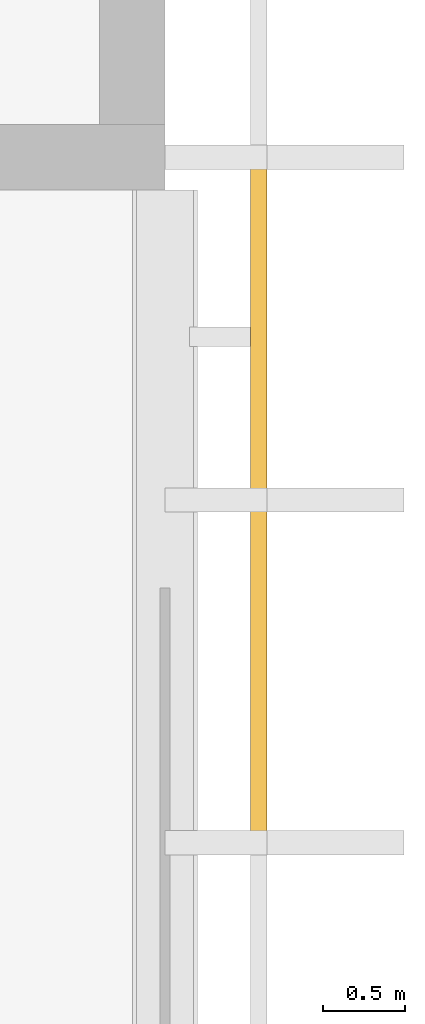
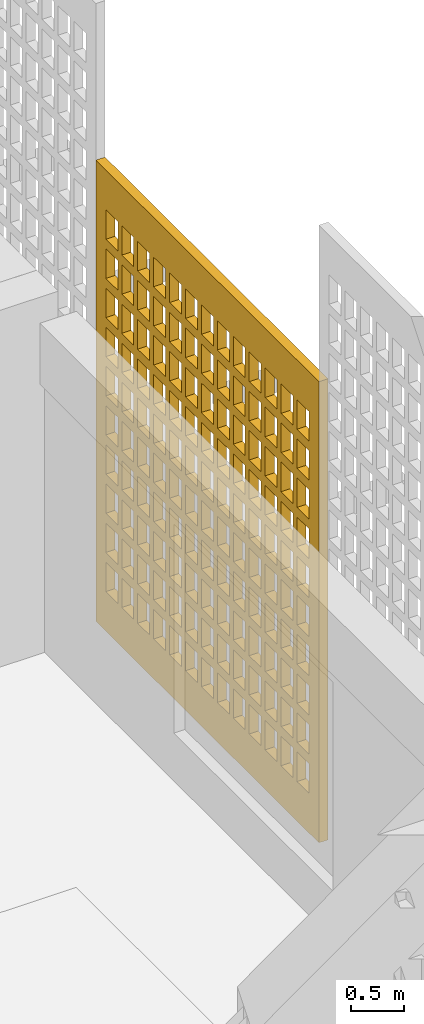
# One storey, part 13 of 23: 1 shading device, 1 opening.
"""IFC4 building model written with IfcOpenShell, lengths in metres."""

from ifc_helpers import new_model, si_unit, direction, frame, origin, origin_2d, place, context, subcontext, project, spatial, rectangle, extrude, material, layer, layer_set, type_object, element, save


model = new_model("IFC4")

# Units and contexts
model_context = context("Model", 3, precision=1e-05, world=origin(), true_north=direction((0.0, 1.0)))
body_context = subcontext(model_context, "Body", "Model", "MODEL_VIEW")
ifc_project = project(units=[si_unit("LENGTHUNIT", "METRE"), si_unit("AREAUNIT", "SQUARE_METRE"), si_unit("VOLUMEUNIT", "CUBIC_METRE"), si_unit("PLANEANGLEUNIT", "RADIAN"), si_unit("MASSUNIT", "GRAM", prefix="KILO")], contexts=[model_context])

# Site, building, storey
site_placement = place(None, origin())
site = spatial("IfcSite", under=ifc_project, at=site_placement, CompositionType="ELEMENT")
building_placement = place(site_placement, origin())
building = spatial("IfcBuilding", under=site, at=building_placement, Name="Rulbaag Community and Learning Centre", CompositionType="ELEMENT")
storey_placement = place(building_placement, frame((0.0, 0.0, 64.800048828125)))
storey = spatial("IfcBuildingStorey", under=building, at=storey_placement, Name="L17", CompositionType="ELEMENT", Elevation=64.800048828125)

# Shading device, opening
ifc_material = material(Name="Concrete M40", Category="concrete")
ifc_layer = layer(ifc_material, 0.10009765625)
ifc_layer_set = layer_set([ifc_layer], Name="JC-4")
shading_device_type = type_object("IfcShadingDeviceType", Name="JC-4", PredefinedType="SHUTTER", material=ifc_layer_set)
shading_device_placement = place(storey_placement, frame((168.574951171875, 90.300048828125, 0.0), z_axis=(0.0, 0.0, 1.0), x_axis=(1.0, 0.0, 0.0)))
shading_device = element("IfcShadingDevice", 1, at=shading_device_placement, inside=storey, type_object=shading_device_type, Name="Jaali lantern screen", PredefinedType="SHUTTER", context=body_context, shape_type="SweptSolid", body=[
    extrude(rectangle(XDim=0.10009765625, YDim=4.199951171875, at=origin_2d()), origin(), (0.0, 0.0, 1.0), 5.300048828125),
])
opening_placement = place(shading_device_placement, origin())
element("IfcOpeningElement", 2, at=opening_placement, cuts=shading_device, Name="Perforation JC4", PredefinedType="OPENING", context=body_context, shape_type="SweptSolid", body=[
    extrude(rectangle(XDim=0.22509765625, YDim=0.340087890625, at=origin_2d()), frame((-0.06005859375, -1.800048828125, 0.625), z_axis=(1.0, 0.0, 0.0), x_axis=(0.0, 1.0, 0.0)), (0.0, 0.0, 1.0), 0.1201171875),
    extrude(rectangle(XDim=0.22509765625, YDim=0.340087890625, at=origin_2d()), frame((-0.06005859375, -1.5, 0.625), z_axis=(1.0, 0.0, 0.0), x_axis=(0.0, 1.0, 0.0)), (0.0, 0.0, 1.0), 0.1201171875),
    extrude(rectangle(XDim=0.22509765625, YDim=0.340087890625, at=origin_2d()), frame((-0.06005859375, -1.199951171875, 0.625), z_axis=(1.0, 0.0, 0.0), x_axis=(0.0, 1.0, 0.0)), (0.0, 0.0, 1.0), 0.1201171875),
    extrude(rectangle(XDim=0.22509765625, YDim=0.340087890625, at=origin_2d()), frame((-0.06005859375, -0.89990234375, 0.625), z_axis=(1.0, 0.0, 0.0), x_axis=(0.0, 1.0, 0.0)), (0.0, 0.0, 1.0), 0.1201171875),
    extrude(rectangle(XDim=0.22509765625, YDim=0.340087890625, at=origin_2d()), frame((-0.06005859375, -0.60009765625, 0.625), z_axis=(1.0, 0.0, 0.0), x_axis=(0.0, 1.0, 0.0)), (0.0, 0.0, 1.0), 0.1201171875),
    extrude(rectangle(XDim=0.22509765625, YDim=0.340087890625, at=origin_2d()), frame((-0.06005859375, -0.300048828125, 0.625), z_axis=(1.0, 0.0, 0.0), x_axis=(0.0, 1.0, 0.0)), (0.0, 0.0, 1.0), 0.1201171875),
    extrude(rectangle(XDim=0.22509765625, YDim=0.340087890625, at=origin_2d()), frame((-0.06005859375, 0.0, 0.625), z_axis=(1.0, 0.0, 0.0), x_axis=(0.0, 1.0, 0.0)), (0.0, 0.0, 1.0), 0.1201171875),
    extrude(rectangle(XDim=0.22509765625, YDim=0.340087890625, at=origin_2d()), frame((-0.06005859375, 0.300048828125, 0.625), z_axis=(1.0, 0.0, 0.0), x_axis=(0.0, 1.0, 0.0)), (0.0, 0.0, 1.0), 0.1201171875),
    extrude(rectangle(XDim=0.22509765625, YDim=0.340087890625, at=origin_2d()), frame((-0.06005859375, 0.60009765625, 0.625), z_axis=(1.0, 0.0, 0.0), x_axis=(0.0, 1.0, 0.0)), (0.0, 0.0, 1.0), 0.1201171875),
    extrude(rectangle(XDim=0.22509765625, YDim=0.340087890625, at=origin_2d()), frame((-0.06005859375, 0.89990234375, 0.625), z_axis=(1.0, 0.0, 0.0), x_axis=(0.0, 1.0, 0.0)), (0.0, 0.0, 1.0), 0.1201171875),
    extrude(rectangle(XDim=0.22509765625, YDim=0.340087890625, at=origin_2d()), frame((-0.06005859375, 1.199951171875, 0.625), z_axis=(1.0, 0.0, 0.0), x_axis=(0.0, 1.0, 0.0)), (0.0, 0.0, 1.0), 0.1201171875),
    extrude(rectangle(XDim=0.22509765625, YDim=0.340087890625, at=origin_2d()), frame((-0.06005859375, 1.5, 0.625), z_axis=(1.0, 0.0, 0.0), x_axis=(0.0, 1.0, 0.0)), (0.0, 0.0, 1.0), 0.1201171875),
    extrude(rectangle(XDim=0.22509765625, YDim=0.340087890625, at=origin_2d()), frame((-0.06005859375, 1.800048828125, 0.625), z_axis=(1.0, 0.0, 0.0), x_axis=(0.0, 1.0, 0.0)), (0.0, 0.0, 1.0), 0.1201171875),
    extrude(rectangle(XDim=0.22509765625, YDim=0.340087890625, at=origin_2d()), frame((-0.06005859375, -1.800048828125, 1.074951171875), z_axis=(1.0, 0.0, 0.0), x_axis=(0.0, 1.0, 0.0)), (0.0, 0.0, 1.0), 0.1201171875),
    extrude(rectangle(XDim=0.22509765625, YDim=0.340087890625, at=origin_2d()), frame((-0.06005859375, -1.5, 1.074951171875), z_axis=(1.0, 0.0, 0.0), x_axis=(0.0, 1.0, 0.0)), (0.0, 0.0, 1.0), 0.1201171875),
    extrude(rectangle(XDim=0.22509765625, YDim=0.340087890625, at=origin_2d()), frame((-0.06005859375, -1.199951171875, 1.074951171875), z_axis=(1.0, 0.0, 0.0), x_axis=(0.0, 1.0, 0.0)), (0.0, 0.0, 1.0), 0.1201171875),
    extrude(rectangle(XDim=0.22509765625, YDim=0.340087890625, at=origin_2d()), frame((-0.06005859375, -0.89990234375, 1.074951171875), z_axis=(1.0, 0.0, 0.0), x_axis=(0.0, 1.0, 0.0)), (0.0, 0.0, 1.0), 0.1201171875),
    extrude(rectangle(XDim=0.22509765625, YDim=0.340087890625, at=origin_2d()), frame((-0.06005859375, -0.60009765625, 1.074951171875), z_axis=(1.0, 0.0, 0.0), x_axis=(0.0, 1.0, 0.0)), (0.0, 0.0, 1.0), 0.1201171875),
    extrude(rectangle(XDim=0.22509765625, YDim=0.340087890625, at=origin_2d()), frame((-0.06005859375, -0.300048828125, 1.074951171875), z_axis=(1.0, 0.0, 0.0), x_axis=(0.0, 1.0, 0.0)), (0.0, 0.0, 1.0), 0.1201171875),
    extrude(rectangle(XDim=0.22509765625, YDim=0.340087890625, at=origin_2d()), frame((-0.06005859375, 0.0, 1.074951171875), z_axis=(1.0, 0.0, 0.0), x_axis=(0.0, 1.0, 0.0)), (0.0, 0.0, 1.0), 0.1201171875),
    extrude(rectangle(XDim=0.22509765625, YDim=0.340087890625, at=origin_2d()), frame((-0.06005859375, 0.300048828125, 1.074951171875), z_axis=(1.0, 0.0, 0.0), x_axis=(0.0, 1.0, 0.0)), (0.0, 0.0, 1.0), 0.1201171875),
    extrude(rectangle(XDim=0.22509765625, YDim=0.340087890625, at=origin_2d()), frame((-0.06005859375, 0.60009765625, 1.074951171875), z_axis=(1.0, 0.0, 0.0), x_axis=(0.0, 1.0, 0.0)), (0.0, 0.0, 1.0), 0.1201171875),
    extrude(rectangle(XDim=0.22509765625, YDim=0.340087890625, at=origin_2d()), frame((-0.06005859375, 0.89990234375, 1.074951171875), z_axis=(1.0, 0.0, 0.0), x_axis=(0.0, 1.0, 0.0)), (0.0, 0.0, 1.0), 0.1201171875),
    extrude(rectangle(XDim=0.22509765625, YDim=0.340087890625, at=origin_2d()), frame((-0.06005859375, 1.199951171875, 1.074951171875), z_axis=(1.0, 0.0, 0.0), x_axis=(0.0, 1.0, 0.0)), (0.0, 0.0, 1.0), 0.1201171875),
    extrude(rectangle(XDim=0.22509765625, YDim=0.340087890625, at=origin_2d()), frame((-0.06005859375, 1.5, 1.074951171875), z_axis=(1.0, 0.0, 0.0), x_axis=(0.0, 1.0, 0.0)), (0.0, 0.0, 1.0), 0.1201171875),
    extrude(rectangle(XDim=0.22509765625, YDim=0.340087890625, at=origin_2d()), frame((-0.06005859375, 1.800048828125, 1.074951171875), z_axis=(1.0, 0.0, 0.0), x_axis=(0.0, 1.0, 0.0)), (0.0, 0.0, 1.0), 0.1201171875),
    extrude(rectangle(XDim=0.22509765625, YDim=0.340087890625, at=origin_2d()), frame((-0.06005859375, -1.800048828125, 1.52490234375), z_axis=(1.0, 0.0, 0.0), x_axis=(0.0, 1.0, 0.0)), (0.0, 0.0, 1.0), 0.1201171875),
    extrude(rectangle(XDim=0.22509765625, YDim=0.340087890625, at=origin_2d()), frame((-0.06005859375, -1.5, 1.52490234375), z_axis=(1.0, 0.0, 0.0), x_axis=(0.0, 1.0, 0.0)), (0.0, 0.0, 1.0), 0.1201171875),
    extrude(rectangle(XDim=0.22509765625, YDim=0.340087890625, at=origin_2d()), frame((-0.06005859375, -1.199951171875, 1.52490234375), z_axis=(1.0, 0.0, 0.0), x_axis=(0.0, 1.0, 0.0)), (0.0, 0.0, 1.0), 0.1201171875),
    extrude(rectangle(XDim=0.22509765625, YDim=0.340087890625, at=origin_2d()), frame((-0.06005859375, -0.89990234375, 1.52490234375), z_axis=(1.0, 0.0, 0.0), x_axis=(0.0, 1.0, 0.0)), (0.0, 0.0, 1.0), 0.1201171875),
    extrude(rectangle(XDim=0.22509765625, YDim=0.340087890625, at=origin_2d()), frame((-0.06005859375, -0.60009765625, 1.52490234375), z_axis=(1.0, 0.0, 0.0), x_axis=(0.0, 1.0, 0.0)), (0.0, 0.0, 1.0), 0.1201171875),
    extrude(rectangle(XDim=0.22509765625, YDim=0.340087890625, at=origin_2d()), frame((-0.06005859375, -0.300048828125, 1.52490234375), z_axis=(1.0, 0.0, 0.0), x_axis=(0.0, 1.0, 0.0)), (0.0, 0.0, 1.0), 0.1201171875),
    extrude(rectangle(XDim=0.22509765625, YDim=0.340087890625, at=origin_2d()), frame((-0.06005859375, 0.0, 1.52490234375), z_axis=(1.0, 0.0, 0.0), x_axis=(0.0, 1.0, 0.0)), (0.0, 0.0, 1.0), 0.1201171875),
    extrude(rectangle(XDim=0.22509765625, YDim=0.340087890625, at=origin_2d()), frame((-0.06005859375, 0.300048828125, 1.52490234375), z_axis=(1.0, 0.0, 0.0), x_axis=(0.0, 1.0, 0.0)), (0.0, 0.0, 1.0), 0.1201171875),
    extrude(rectangle(XDim=0.22509765625, YDim=0.340087890625, at=origin_2d()), frame((-0.06005859375, 0.60009765625, 1.52490234375), z_axis=(1.0, 0.0, 0.0), x_axis=(0.0, 1.0, 0.0)), (0.0, 0.0, 1.0), 0.1201171875),
    extrude(rectangle(XDim=0.22509765625, YDim=0.340087890625, at=origin_2d()), frame((-0.06005859375, 0.89990234375, 1.52490234375), z_axis=(1.0, 0.0, 0.0), x_axis=(0.0, 1.0, 0.0)), (0.0, 0.0, 1.0), 0.1201171875),
    extrude(rectangle(XDim=0.22509765625, YDim=0.340087890625, at=origin_2d()), frame((-0.06005859375, 1.199951171875, 1.52490234375), z_axis=(1.0, 0.0, 0.0), x_axis=(0.0, 1.0, 0.0)), (0.0, 0.0, 1.0), 0.1201171875),
    extrude(rectangle(XDim=0.22509765625, YDim=0.340087890625, at=origin_2d()), frame((-0.06005859375, 1.5, 1.52490234375), z_axis=(1.0, 0.0, 0.0), x_axis=(0.0, 1.0, 0.0)), (0.0, 0.0, 1.0), 0.1201171875),
    extrude(rectangle(XDim=0.22509765625, YDim=0.340087890625, at=origin_2d()), frame((-0.06005859375, 1.800048828125, 1.52490234375), z_axis=(1.0, 0.0, 0.0), x_axis=(0.0, 1.0, 0.0)), (0.0, 0.0, 1.0), 0.1201171875),
    extrude(rectangle(XDim=0.22509765625, YDim=0.340087890625, at=origin_2d()), frame((-0.06005859375, -1.800048828125, 1.97509765625), z_axis=(1.0, 0.0, 0.0), x_axis=(0.0, 1.0, 0.0)), (0.0, 0.0, 1.0), 0.1201171875),
    extrude(rectangle(XDim=0.22509765625, YDim=0.340087890625, at=origin_2d()), frame((-0.06005859375, -1.5, 1.97509765625), z_axis=(1.0, 0.0, 0.0), x_axis=(0.0, 1.0, 0.0)), (0.0, 0.0, 1.0), 0.1201171875),
    extrude(rectangle(XDim=0.22509765625, YDim=0.340087890625, at=origin_2d()), frame((-0.06005859375, -1.199951171875, 1.97509765625), z_axis=(1.0, 0.0, 0.0), x_axis=(0.0, 1.0, 0.0)), (0.0, 0.0, 1.0), 0.1201171875),
    extrude(rectangle(XDim=0.22509765625, YDim=0.340087890625, at=origin_2d()), frame((-0.06005859375, -0.89990234375, 1.97509765625), z_axis=(1.0, 0.0, 0.0), x_axis=(0.0, 1.0, 0.0)), (0.0, 0.0, 1.0), 0.1201171875),
    extrude(rectangle(XDim=0.22509765625, YDim=0.340087890625, at=origin_2d()), frame((-0.06005859375, -0.60009765625, 1.97509765625), z_axis=(1.0, 0.0, 0.0), x_axis=(0.0, 1.0, 0.0)), (0.0, 0.0, 1.0), 0.1201171875),
    extrude(rectangle(XDim=0.22509765625, YDim=0.340087890625, at=origin_2d()), frame((-0.06005859375, -0.300048828125, 1.97509765625), z_axis=(1.0, 0.0, 0.0), x_axis=(0.0, 1.0, 0.0)), (0.0, 0.0, 1.0), 0.1201171875),
    extrude(rectangle(XDim=0.22509765625, YDim=0.340087890625, at=origin_2d()), frame((-0.06005859375, 0.0, 1.97509765625), z_axis=(1.0, 0.0, 0.0), x_axis=(0.0, 1.0, 0.0)), (0.0, 0.0, 1.0), 0.1201171875),
    extrude(rectangle(XDim=0.22509765625, YDim=0.340087890625, at=origin_2d()), frame((-0.06005859375, 0.300048828125, 1.97509765625), z_axis=(1.0, 0.0, 0.0), x_axis=(0.0, 1.0, 0.0)), (0.0, 0.0, 1.0), 0.1201171875),
    extrude(rectangle(XDim=0.22509765625, YDim=0.340087890625, at=origin_2d()), frame((-0.06005859375, 0.60009765625, 1.97509765625), z_axis=(1.0, 0.0, 0.0), x_axis=(0.0, 1.0, 0.0)), (0.0, 0.0, 1.0), 0.1201171875),
    extrude(rectangle(XDim=0.22509765625, YDim=0.340087890625, at=origin_2d()), frame((-0.06005859375, 0.89990234375, 1.97509765625), z_axis=(1.0, 0.0, 0.0), x_axis=(0.0, 1.0, 0.0)), (0.0, 0.0, 1.0), 0.1201171875),
    extrude(rectangle(XDim=0.22509765625, YDim=0.340087890625, at=origin_2d()), frame((-0.06005859375, 1.199951171875, 1.97509765625), z_axis=(1.0, 0.0, 0.0), x_axis=(0.0, 1.0, 0.0)), (0.0, 0.0, 1.0), 0.1201171875),
    extrude(rectangle(XDim=0.22509765625, YDim=0.340087890625, at=origin_2d()), frame((-0.06005859375, 1.5, 1.97509765625), z_axis=(1.0, 0.0, 0.0), x_axis=(0.0, 1.0, 0.0)), (0.0, 0.0, 1.0), 0.1201171875),
    extrude(rectangle(XDim=0.22509765625, YDim=0.340087890625, at=origin_2d()), frame((-0.06005859375, 1.800048828125, 1.97509765625), z_axis=(1.0, 0.0, 0.0), x_axis=(0.0, 1.0, 0.0)), (0.0, 0.0, 1.0), 0.1201171875),
    extrude(rectangle(XDim=0.22509765625, YDim=0.340087890625, at=origin_2d()), frame((-0.06005859375, -1.800048828125, 2.425048828125), z_axis=(1.0, 0.0, 0.0), x_axis=(0.0, 1.0, 0.0)), (0.0, 0.0, 1.0), 0.1201171875),
    extrude(rectangle(XDim=0.22509765625, YDim=0.340087890625, at=origin_2d()), frame((-0.06005859375, -1.5, 2.425048828125), z_axis=(1.0, 0.0, 0.0), x_axis=(0.0, 1.0, 0.0)), (0.0, 0.0, 1.0), 0.1201171875),
    extrude(rectangle(XDim=0.22509765625, YDim=0.340087890625, at=origin_2d()), frame((-0.06005859375, -1.199951171875, 2.425048828125), z_axis=(1.0, 0.0, 0.0), x_axis=(0.0, 1.0, 0.0)), (0.0, 0.0, 1.0), 0.1201171875),
    extrude(rectangle(XDim=0.22509765625, YDim=0.340087890625, at=origin_2d()), frame((-0.06005859375, -0.89990234375, 2.425048828125), z_axis=(1.0, 0.0, 0.0), x_axis=(0.0, 1.0, 0.0)), (0.0, 0.0, 1.0), 0.1201171875),
    extrude(rectangle(XDim=0.22509765625, YDim=0.340087890625, at=origin_2d()), frame((-0.06005859375, -0.60009765625, 2.425048828125), z_axis=(1.0, 0.0, 0.0), x_axis=(0.0, 1.0, 0.0)), (0.0, 0.0, 1.0), 0.1201171875),
    extrude(rectangle(XDim=0.22509765625, YDim=0.340087890625, at=origin_2d()), frame((-0.06005859375, -0.300048828125, 2.425048828125), z_axis=(1.0, 0.0, 0.0), x_axis=(0.0, 1.0, 0.0)), (0.0, 0.0, 1.0), 0.1201171875),
    extrude(rectangle(XDim=0.22509765625, YDim=0.340087890625, at=origin_2d()), frame((-0.06005859375, 0.0, 2.425048828125), z_axis=(1.0, 0.0, 0.0), x_axis=(0.0, 1.0, 0.0)), (0.0, 0.0, 1.0), 0.1201171875),
    extrude(rectangle(XDim=0.22509765625, YDim=0.340087890625, at=origin_2d()), frame((-0.06005859375, 0.300048828125, 2.425048828125), z_axis=(1.0, 0.0, 0.0), x_axis=(0.0, 1.0, 0.0)), (0.0, 0.0, 1.0), 0.1201171875),
    extrude(rectangle(XDim=0.22509765625, YDim=0.340087890625, at=origin_2d()), frame((-0.06005859375, 0.60009765625, 2.425048828125), z_axis=(1.0, 0.0, 0.0), x_axis=(0.0, 1.0, 0.0)), (0.0, 0.0, 1.0), 0.1201171875),
    extrude(rectangle(XDim=0.22509765625, YDim=0.340087890625, at=origin_2d()), frame((-0.06005859375, 0.89990234375, 2.425048828125), z_axis=(1.0, 0.0, 0.0), x_axis=(0.0, 1.0, 0.0)), (0.0, 0.0, 1.0), 0.1201171875),
    extrude(rectangle(XDim=0.22509765625, YDim=0.340087890625, at=origin_2d()), frame((-0.06005859375, 1.199951171875, 2.425048828125), z_axis=(1.0, 0.0, 0.0), x_axis=(0.0, 1.0, 0.0)), (0.0, 0.0, 1.0), 0.1201171875),
    extrude(rectangle(XDim=0.22509765625, YDim=0.340087890625, at=origin_2d()), frame((-0.06005859375, 1.5, 2.425048828125), z_axis=(1.0, 0.0, 0.0), x_axis=(0.0, 1.0, 0.0)), (0.0, 0.0, 1.0), 0.1201171875),
    extrude(rectangle(XDim=0.22509765625, YDim=0.340087890625, at=origin_2d()), frame((-0.06005859375, 1.800048828125, 2.425048828125), z_axis=(1.0, 0.0, 0.0), x_axis=(0.0, 1.0, 0.0)), (0.0, 0.0, 1.0), 0.1201171875),
    extrude(rectangle(XDim=0.22509765625, YDim=0.340087890625, at=origin_2d()), frame((-0.06005859375, -1.800048828125, 2.875), z_axis=(1.0, 0.0, 0.0), x_axis=(0.0, 1.0, 0.0)), (0.0, 0.0, 1.0), 0.1201171875),
    extrude(rectangle(XDim=0.22509765625, YDim=0.340087890625, at=origin_2d()), frame((-0.06005859375, -1.5, 2.875), z_axis=(1.0, 0.0, 0.0), x_axis=(0.0, 1.0, 0.0)), (0.0, 0.0, 1.0), 0.1201171875),
    extrude(rectangle(XDim=0.22509765625, YDim=0.340087890625, at=origin_2d()), frame((-0.06005859375, -1.199951171875, 2.875), z_axis=(1.0, 0.0, 0.0), x_axis=(0.0, 1.0, 0.0)), (0.0, 0.0, 1.0), 0.1201171875),
    extrude(rectangle(XDim=0.22509765625, YDim=0.340087890625, at=origin_2d()), frame((-0.06005859375, -0.89990234375, 2.875), z_axis=(1.0, 0.0, 0.0), x_axis=(0.0, 1.0, 0.0)), (0.0, 0.0, 1.0), 0.1201171875),
    extrude(rectangle(XDim=0.22509765625, YDim=0.340087890625, at=origin_2d()), frame((-0.06005859375, -0.60009765625, 2.875), z_axis=(1.0, 0.0, 0.0), x_axis=(0.0, 1.0, 0.0)), (0.0, 0.0, 1.0), 0.1201171875),
    extrude(rectangle(XDim=0.22509765625, YDim=0.340087890625, at=origin_2d()), frame((-0.06005859375, -0.300048828125, 2.875), z_axis=(1.0, 0.0, 0.0), x_axis=(0.0, 1.0, 0.0)), (0.0, 0.0, 1.0), 0.1201171875),
    extrude(rectangle(XDim=0.22509765625, YDim=0.340087890625, at=origin_2d()), frame((-0.06005859375, 0.0, 2.875), z_axis=(1.0, 0.0, 0.0), x_axis=(0.0, 1.0, 0.0)), (0.0, 0.0, 1.0), 0.1201171875),
    extrude(rectangle(XDim=0.22509765625, YDim=0.340087890625, at=origin_2d()), frame((-0.06005859375, 0.300048828125, 2.875), z_axis=(1.0, 0.0, 0.0), x_axis=(0.0, 1.0, 0.0)), (0.0, 0.0, 1.0), 0.1201171875),
    extrude(rectangle(XDim=0.22509765625, YDim=0.340087890625, at=origin_2d()), frame((-0.06005859375, 0.60009765625, 2.875), z_axis=(1.0, 0.0, 0.0), x_axis=(0.0, 1.0, 0.0)), (0.0, 0.0, 1.0), 0.1201171875),
    extrude(rectangle(XDim=0.22509765625, YDim=0.340087890625, at=origin_2d()), frame((-0.06005859375, 0.89990234375, 2.875), z_axis=(1.0, 0.0, 0.0), x_axis=(0.0, 1.0, 0.0)), (0.0, 0.0, 1.0), 0.1201171875),
    extrude(rectangle(XDim=0.22509765625, YDim=0.340087890625, at=origin_2d()), frame((-0.06005859375, 1.199951171875, 2.875), z_axis=(1.0, 0.0, 0.0), x_axis=(0.0, 1.0, 0.0)), (0.0, 0.0, 1.0), 0.1201171875),
    extrude(rectangle(XDim=0.22509765625, YDim=0.340087890625, at=origin_2d()), frame((-0.06005859375, 1.5, 2.875), z_axis=(1.0, 0.0, 0.0), x_axis=(0.0, 1.0, 0.0)), (0.0, 0.0, 1.0), 0.1201171875),
    extrude(rectangle(XDim=0.22509765625, YDim=0.340087890625, at=origin_2d()), frame((-0.06005859375, 1.800048828125, 2.875), z_axis=(1.0, 0.0, 0.0), x_axis=(0.0, 1.0, 0.0)), (0.0, 0.0, 1.0), 0.1201171875),
    extrude(rectangle(XDim=0.22509765625, YDim=0.340087890625, at=origin_2d()), frame((-0.06005859375, -1.800048828125, 3.324951171875), z_axis=(1.0, 0.0, 0.0), x_axis=(0.0, 1.0, 0.0)), (0.0, 0.0, 1.0), 0.1201171875),
    extrude(rectangle(XDim=0.22509765625, YDim=0.340087890625, at=origin_2d()), frame((-0.06005859375, -1.5, 3.324951171875), z_axis=(1.0, 0.0, 0.0), x_axis=(0.0, 1.0, 0.0)), (0.0, 0.0, 1.0), 0.1201171875),
    extrude(rectangle(XDim=0.22509765625, YDim=0.340087890625, at=origin_2d()), frame((-0.06005859375, -1.199951171875, 3.324951171875), z_axis=(1.0, 0.0, 0.0), x_axis=(0.0, 1.0, 0.0)), (0.0, 0.0, 1.0), 0.1201171875),
    extrude(rectangle(XDim=0.22509765625, YDim=0.340087890625, at=origin_2d()), frame((-0.06005859375, -0.89990234375, 3.324951171875), z_axis=(1.0, 0.0, 0.0), x_axis=(0.0, 1.0, 0.0)), (0.0, 0.0, 1.0), 0.1201171875),
    extrude(rectangle(XDim=0.22509765625, YDim=0.340087890625, at=origin_2d()), frame((-0.06005859375, -0.60009765625, 3.324951171875), z_axis=(1.0, 0.0, 0.0), x_axis=(0.0, 1.0, 0.0)), (0.0, 0.0, 1.0), 0.1201171875),
    extrude(rectangle(XDim=0.22509765625, YDim=0.340087890625, at=origin_2d()), frame((-0.06005859375, -0.300048828125, 3.324951171875), z_axis=(1.0, 0.0, 0.0), x_axis=(0.0, 1.0, 0.0)), (0.0, 0.0, 1.0), 0.1201171875),
    extrude(rectangle(XDim=0.22509765625, YDim=0.340087890625, at=origin_2d()), frame((-0.06005859375, 0.0, 3.324951171875), z_axis=(1.0, 0.0, 0.0), x_axis=(0.0, 1.0, 0.0)), (0.0, 0.0, 1.0), 0.1201171875),
    extrude(rectangle(XDim=0.22509765625, YDim=0.340087890625, at=origin_2d()), frame((-0.06005859375, 0.300048828125, 3.324951171875), z_axis=(1.0, 0.0, 0.0), x_axis=(0.0, 1.0, 0.0)), (0.0, 0.0, 1.0), 0.1201171875),
    extrude(rectangle(XDim=0.22509765625, YDim=0.340087890625, at=origin_2d()), frame((-0.06005859375, 0.60009765625, 3.324951171875), z_axis=(1.0, 0.0, 0.0), x_axis=(0.0, 1.0, 0.0)), (0.0, 0.0, 1.0), 0.1201171875),
    extrude(rectangle(XDim=0.22509765625, YDim=0.340087890625, at=origin_2d()), frame((-0.06005859375, 0.89990234375, 3.324951171875), z_axis=(1.0, 0.0, 0.0), x_axis=(0.0, 1.0, 0.0)), (0.0, 0.0, 1.0), 0.1201171875),
    extrude(rectangle(XDim=0.22509765625, YDim=0.340087890625, at=origin_2d()), frame((-0.06005859375, 1.199951171875, 3.324951171875), z_axis=(1.0, 0.0, 0.0), x_axis=(0.0, 1.0, 0.0)), (0.0, 0.0, 1.0), 0.1201171875),
    extrude(rectangle(XDim=0.22509765625, YDim=0.340087890625, at=origin_2d()), frame((-0.06005859375, 1.5, 3.324951171875), z_axis=(1.0, 0.0, 0.0), x_axis=(0.0, 1.0, 0.0)), (0.0, 0.0, 1.0), 0.1201171875),
    extrude(rectangle(XDim=0.22509765625, YDim=0.340087890625, at=origin_2d()), frame((-0.06005859375, 1.800048828125, 3.324951171875), z_axis=(1.0, 0.0, 0.0), x_axis=(0.0, 1.0, 0.0)), (0.0, 0.0, 1.0), 0.1201171875),
    extrude(rectangle(XDim=0.22509765625, YDim=0.340087890625, at=origin_2d()), frame((-0.06005859375, -1.800048828125, 3.77490234375), z_axis=(1.0, 0.0, 0.0), x_axis=(0.0, 1.0, 0.0)), (0.0, 0.0, 1.0), 0.1201171875),
    extrude(rectangle(XDim=0.22509765625, YDim=0.340087890625, at=origin_2d()), frame((-0.06005859375, -1.5, 3.77490234375), z_axis=(1.0, 0.0, 0.0), x_axis=(0.0, 1.0, 0.0)), (0.0, 0.0, 1.0), 0.1201171875),
    extrude(rectangle(XDim=0.22509765625, YDim=0.340087890625, at=origin_2d()), frame((-0.06005859375, -1.199951171875, 3.77490234375), z_axis=(1.0, 0.0, 0.0), x_axis=(0.0, 1.0, 0.0)), (0.0, 0.0, 1.0), 0.1201171875),
    extrude(rectangle(XDim=0.22509765625, YDim=0.340087890625, at=origin_2d()), frame((-0.06005859375, -0.89990234375, 3.77490234375), z_axis=(1.0, 0.0, 0.0), x_axis=(0.0, 1.0, 0.0)), (0.0, 0.0, 1.0), 0.1201171875),
    extrude(rectangle(XDim=0.22509765625, YDim=0.340087890625, at=origin_2d()), frame((-0.06005859375, -0.60009765625, 3.77490234375), z_axis=(1.0, 0.0, 0.0), x_axis=(0.0, 1.0, 0.0)), (0.0, 0.0, 1.0), 0.1201171875),
    extrude(rectangle(XDim=0.22509765625, YDim=0.340087890625, at=origin_2d()), frame((-0.06005859375, -0.300048828125, 3.77490234375), z_axis=(1.0, 0.0, 0.0), x_axis=(0.0, 1.0, 0.0)), (0.0, 0.0, 1.0), 0.1201171875),
    extrude(rectangle(XDim=0.22509765625, YDim=0.340087890625, at=origin_2d()), frame((-0.06005859375, 0.0, 3.77490234375), z_axis=(1.0, 0.0, 0.0), x_axis=(0.0, 1.0, 0.0)), (0.0, 0.0, 1.0), 0.1201171875),
    extrude(rectangle(XDim=0.22509765625, YDim=0.340087890625, at=origin_2d()), frame((-0.06005859375, 0.300048828125, 3.77490234375), z_axis=(1.0, 0.0, 0.0), x_axis=(0.0, 1.0, 0.0)), (0.0, 0.0, 1.0), 0.1201171875),
    extrude(rectangle(XDim=0.22509765625, YDim=0.340087890625, at=origin_2d()), frame((-0.06005859375, 0.60009765625, 3.77490234375), z_axis=(1.0, 0.0, 0.0), x_axis=(0.0, 1.0, 0.0)), (0.0, 0.0, 1.0), 0.1201171875),
    extrude(rectangle(XDim=0.22509765625, YDim=0.340087890625, at=origin_2d()), frame((-0.06005859375, 0.89990234375, 3.77490234375), z_axis=(1.0, 0.0, 0.0), x_axis=(0.0, 1.0, 0.0)), (0.0, 0.0, 1.0), 0.1201171875),
    extrude(rectangle(XDim=0.22509765625, YDim=0.340087890625, at=origin_2d()), frame((-0.06005859375, 1.199951171875, 3.77490234375), z_axis=(1.0, 0.0, 0.0), x_axis=(0.0, 1.0, 0.0)), (0.0, 0.0, 1.0), 0.1201171875),
    extrude(rectangle(XDim=0.22509765625, YDim=0.340087890625, at=origin_2d()), frame((-0.06005859375, 1.5, 3.77490234375), z_axis=(1.0, 0.0, 0.0), x_axis=(0.0, 1.0, 0.0)), (0.0, 0.0, 1.0), 0.1201171875),
    extrude(rectangle(XDim=0.22509765625, YDim=0.340087890625, at=origin_2d()), frame((-0.06005859375, 1.800048828125, 3.77490234375), z_axis=(1.0, 0.0, 0.0), x_axis=(0.0, 1.0, 0.0)), (0.0, 0.0, 1.0), 0.1201171875),
    extrude(rectangle(XDim=0.22509765625, YDim=0.340087890625, at=origin_2d()), frame((-0.06005859375, -1.800048828125, 4.22509765625), z_axis=(1.0, 0.0, 0.0), x_axis=(0.0, 1.0, 0.0)), (0.0, 0.0, 1.0), 0.1201171875),
    extrude(rectangle(XDim=0.22509765625, YDim=0.340087890625, at=origin_2d()), frame((-0.06005859375, -1.5, 4.22509765625), z_axis=(1.0, 0.0, 0.0), x_axis=(0.0, 1.0, 0.0)), (0.0, 0.0, 1.0), 0.1201171875),
    extrude(rectangle(XDim=0.22509765625, YDim=0.340087890625, at=origin_2d()), frame((-0.06005859375, -1.199951171875, 4.22509765625), z_axis=(1.0, 0.0, 0.0), x_axis=(0.0, 1.0, 0.0)), (0.0, 0.0, 1.0), 0.1201171875),
    extrude(rectangle(XDim=0.22509765625, YDim=0.340087890625, at=origin_2d()), frame((-0.06005859375, -0.89990234375, 4.22509765625), z_axis=(1.0, 0.0, 0.0), x_axis=(0.0, 1.0, 0.0)), (0.0, 0.0, 1.0), 0.1201171875),
    extrude(rectangle(XDim=0.22509765625, YDim=0.340087890625, at=origin_2d()), frame((-0.06005859375, -0.60009765625, 4.22509765625), z_axis=(1.0, 0.0, 0.0), x_axis=(0.0, 1.0, 0.0)), (0.0, 0.0, 1.0), 0.1201171875),
    extrude(rectangle(XDim=0.22509765625, YDim=0.340087890625, at=origin_2d()), frame((-0.06005859375, -0.300048828125, 4.22509765625), z_axis=(1.0, 0.0, 0.0), x_axis=(0.0, 1.0, 0.0)), (0.0, 0.0, 1.0), 0.1201171875),
    extrude(rectangle(XDim=0.22509765625, YDim=0.340087890625, at=origin_2d()), frame((-0.06005859375, 0.0, 4.22509765625), z_axis=(1.0, 0.0, 0.0), x_axis=(0.0, 1.0, 0.0)), (0.0, 0.0, 1.0), 0.1201171875),
    extrude(rectangle(XDim=0.22509765625, YDim=0.340087890625, at=origin_2d()), frame((-0.06005859375, 0.300048828125, 4.22509765625), z_axis=(1.0, 0.0, 0.0), x_axis=(0.0, 1.0, 0.0)), (0.0, 0.0, 1.0), 0.1201171875),
    extrude(rectangle(XDim=0.22509765625, YDim=0.340087890625, at=origin_2d()), frame((-0.06005859375, 0.60009765625, 4.22509765625), z_axis=(1.0, 0.0, 0.0), x_axis=(0.0, 1.0, 0.0)), (0.0, 0.0, 1.0), 0.1201171875),
    extrude(rectangle(XDim=0.22509765625, YDim=0.340087890625, at=origin_2d()), frame((-0.06005859375, 0.89990234375, 4.22509765625), z_axis=(1.0, 0.0, 0.0), x_axis=(0.0, 1.0, 0.0)), (0.0, 0.0, 1.0), 0.1201171875),
    extrude(rectangle(XDim=0.22509765625, YDim=0.340087890625, at=origin_2d()), frame((-0.06005859375, 1.199951171875, 4.22509765625), z_axis=(1.0, 0.0, 0.0), x_axis=(0.0, 1.0, 0.0)), (0.0, 0.0, 1.0), 0.1201171875),
    extrude(rectangle(XDim=0.22509765625, YDim=0.340087890625, at=origin_2d()), frame((-0.06005859375, 1.5, 4.22509765625), z_axis=(1.0, 0.0, 0.0), x_axis=(0.0, 1.0, 0.0)), (0.0, 0.0, 1.0), 0.1201171875),
    extrude(rectangle(XDim=0.22509765625, YDim=0.340087890625, at=origin_2d()), frame((-0.06005859375, 1.800048828125, 4.22509765625), z_axis=(1.0, 0.0, 0.0), x_axis=(0.0, 1.0, 0.0)), (0.0, 0.0, 1.0), 0.1201171875),
    extrude(rectangle(XDim=0.22509765625, YDim=0.340087890625, at=origin_2d()), frame((-0.06005859375, -1.800048828125, 4.675048828125), z_axis=(1.0, 0.0, 0.0), x_axis=(0.0, 1.0, 0.0)), (0.0, 0.0, 1.0), 0.1201171875),
    extrude(rectangle(XDim=0.22509765625, YDim=0.340087890625, at=origin_2d()), frame((-0.06005859375, -1.5, 4.675048828125), z_axis=(1.0, 0.0, 0.0), x_axis=(0.0, 1.0, 0.0)), (0.0, 0.0, 1.0), 0.1201171875),
    extrude(rectangle(XDim=0.22509765625, YDim=0.340087890625, at=origin_2d()), frame((-0.06005859375, -1.199951171875, 4.675048828125), z_axis=(1.0, 0.0, 0.0), x_axis=(0.0, 1.0, 0.0)), (0.0, 0.0, 1.0), 0.1201171875),
    extrude(rectangle(XDim=0.22509765625, YDim=0.340087890625, at=origin_2d()), frame((-0.06005859375, -0.89990234375, 4.675048828125), z_axis=(1.0, 0.0, 0.0), x_axis=(0.0, 1.0, 0.0)), (0.0, 0.0, 1.0), 0.1201171875),
    extrude(rectangle(XDim=0.22509765625, YDim=0.340087890625, at=origin_2d()), frame((-0.06005859375, -0.60009765625, 4.675048828125), z_axis=(1.0, 0.0, 0.0), x_axis=(0.0, 1.0, 0.0)), (0.0, 0.0, 1.0), 0.1201171875),
    extrude(rectangle(XDim=0.22509765625, YDim=0.340087890625, at=origin_2d()), frame((-0.06005859375, -0.300048828125, 4.675048828125), z_axis=(1.0, 0.0, 0.0), x_axis=(0.0, 1.0, 0.0)), (0.0, 0.0, 1.0), 0.1201171875),
    extrude(rectangle(XDim=0.22509765625, YDim=0.340087890625, at=origin_2d()), frame((-0.06005859375, 0.0, 4.675048828125), z_axis=(1.0, 0.0, 0.0), x_axis=(0.0, 1.0, 0.0)), (0.0, 0.0, 1.0), 0.1201171875),
    extrude(rectangle(XDim=0.22509765625, YDim=0.340087890625, at=origin_2d()), frame((-0.06005859375, 0.300048828125, 4.675048828125), z_axis=(1.0, 0.0, 0.0), x_axis=(0.0, 1.0, 0.0)), (0.0, 0.0, 1.0), 0.1201171875),
    extrude(rectangle(XDim=0.22509765625, YDim=0.340087890625, at=origin_2d()), frame((-0.06005859375, 0.60009765625, 4.675048828125), z_axis=(1.0, 0.0, 0.0), x_axis=(0.0, 1.0, 0.0)), (0.0, 0.0, 1.0), 0.1201171875),
    extrude(rectangle(XDim=0.22509765625, YDim=0.340087890625, at=origin_2d()), frame((-0.06005859375, 0.89990234375, 4.675048828125), z_axis=(1.0, 0.0, 0.0), x_axis=(0.0, 1.0, 0.0)), (0.0, 0.0, 1.0), 0.1201171875),
    extrude(rectangle(XDim=0.22509765625, YDim=0.340087890625, at=origin_2d()), frame((-0.06005859375, 1.199951171875, 4.675048828125), z_axis=(1.0, 0.0, 0.0), x_axis=(0.0, 1.0, 0.0)), (0.0, 0.0, 1.0), 0.1201171875),
    extrude(rectangle(XDim=0.22509765625, YDim=0.340087890625, at=origin_2d()), frame((-0.06005859375, 1.5, 4.675048828125), z_axis=(1.0, 0.0, 0.0), x_axis=(0.0, 1.0, 0.0)), (0.0, 0.0, 1.0), 0.1201171875),
    extrude(rectangle(XDim=0.22509765625, YDim=0.340087890625, at=origin_2d()), frame((-0.06005859375, 1.800048828125, 4.675048828125), z_axis=(1.0, 0.0, 0.0), x_axis=(0.0, 1.0, 0.0)), (0.0, 0.0, 1.0), 0.1201171875),
])

save(model, "model.ifc")
